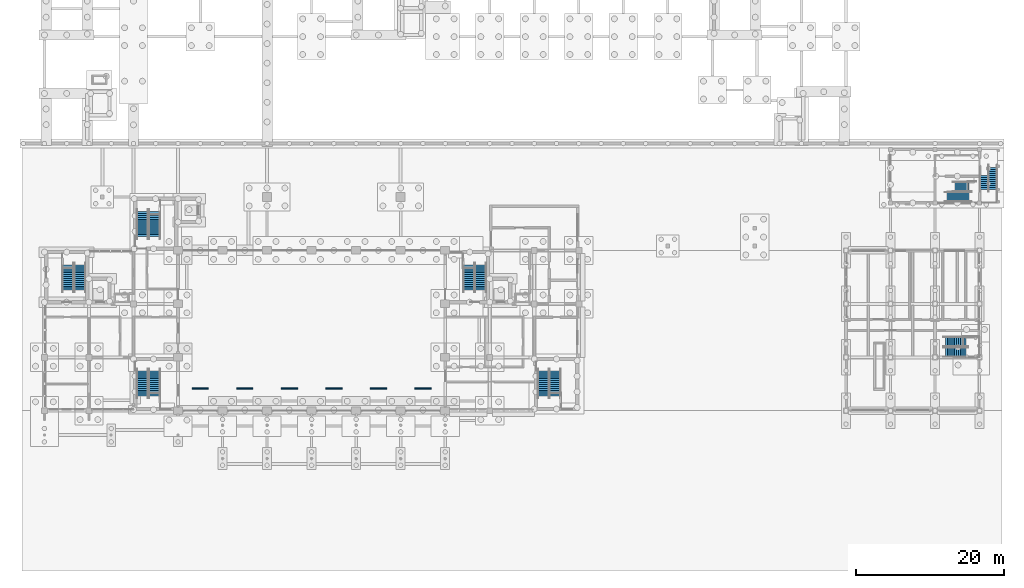
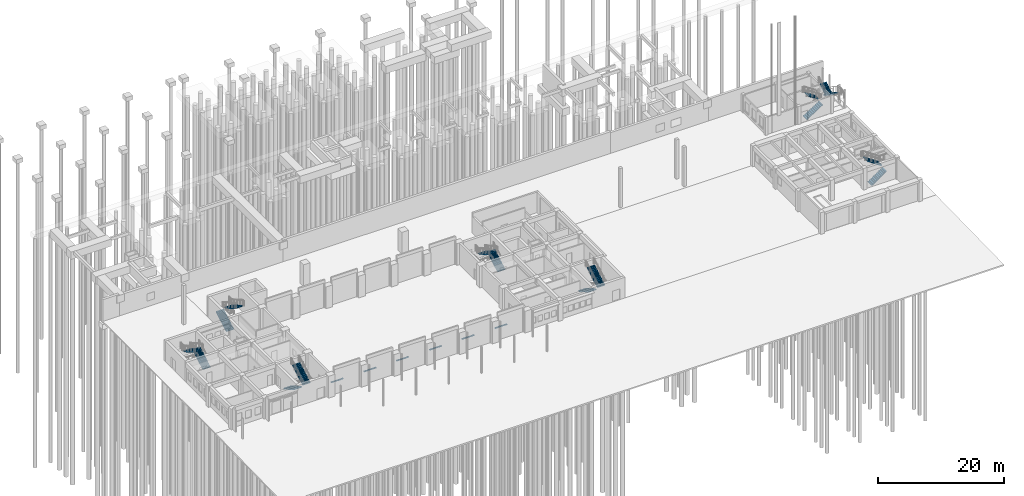
# One storey, part 29 of 37: 16 stair flights, 6 discrete accessories, 8 elements without a shape of their own.
"""IFC4 building model written with IfcOpenShell, lengths in metres."""

from ifc_helpers import new_model, si_unit, direction, frame, origin, origin_2d, place, context, subcontext, project, spatial, polyline, rectangle, outline, extrude, material, type_object, element, aggregate, save


model = new_model("IFC4")

# Units and contexts
model_context = context("Model", 3, precision=1e-05, world=origin(), true_north=direction((0.0, 1.0)))
body_context = subcontext(model_context, "Body", "Model", "MODEL_VIEW")
ifc_project = project(units=[si_unit("LENGTHUNIT", "METRE"), si_unit("AREAUNIT", "SQUARE_METRE"), si_unit("VOLUMEUNIT", "CUBIC_METRE"), si_unit("PLANEANGLEUNIT", "RADIAN"), si_unit("MASSUNIT", "GRAM", prefix="KILO")], contexts=[model_context])

# Site, building, storey
site_placement = place(None, origin())
site = spatial("IfcSite", under=ifc_project, at=site_placement, CompositionType="ELEMENT")
building_placement = place(site_placement, origin())
building = spatial("IfcBuilding", under=site, at=building_placement, Name="Laocheng Heights Fire and Rescue Headquarters", CompositionType="ELEMENT")
storey_placement = place(building_placement, origin())
storey = spatial("IfcBuildingStorey", under=building, at=storey_placement, Name="L00", CompositionType="ELEMENT", Elevation=0.0)

# Stair, stair flights
ifc_material_1 = material(Name="Concrete C40", Category="concrete")
stair_type_1 = type_object("IfcStairType", Name="RC STAIR 1200 TWO FLIGHTS 24 RISERS OF 175 GOING 250", PredefinedType="HALF_TURN_STAIR", material=ifc_material_1)
stair_1_placement = place(storey_placement, origin())
stair_1 = element("IfcStair", 1, at=stair_1_placement, inside=storey, type_object=stair_type_1, Name="Stair W3 (L00 to L01)", PredefinedType="HALF_TURN_STAIR")
ifc_material_2 = material(Name="Concrete C40", Category="concrete")
stair_flight_type_1 = type_object("IfcStairFlightType", Name="RC STAIR FLIGHT 1200 RISERS OF 175 GOING 250", PredefinedType="STRAIGHT", material=ifc_material_2)
stair_flight_1_placement = place(storey_placement, frame((121.39990234375, 7.89990234375, 0.0), z_axis=(0.0, 0.0, 1.0), x_axis=(1.0, 0.0, 0.0)))
stair_flight_1 = element("IfcStairFlight", 2, at=stair_flight_1_placement, type_object=stair_flight_type_1, Name="W3-L00 flight 1", NumberOfRisers=12, NumberOfTreads=11, PredefinedType="STRAIGHT", RiserHeight=0.175, TreadLength=0.25, context=body_context, shape_type="SweptSolid", body=[
    extrude(outline(polyline([(0.0, 0.0), (0.0, 0.175048828125), (0.25, 0.175048828125), (0.25, 0.35009765625), (0.5, 0.35009765625), (0.5, 0.52490234375), (0.75, 0.52490234375), (0.75, 0.699951171875), (1.0, 0.699951171875), (1.0, 0.875), (1.25, 0.875), (1.25, 1.050048828125), (1.5, 1.050048828125), (1.5, 1.22509765625), (1.75, 1.22509765625), (1.75, 1.39990234375), (2.0, 1.39990234375), (2.0, 1.574951171875), (2.25, 1.574951171875), (2.25, 1.75), (2.5, 1.75), (2.5, 1.925048828125), (2.75, 1.925048828125), (2.75, 2.10009765625), (2.75, 1.741943359375), (0.261474609375, 0.0), (0.0, 0.0)])), frame((0.0, 0.60009765625, 0.0), z_axis=(0.0, -1.0, 0.0), x_axis=(1.0, 0.0, 0.0)), (0.0, 0.0, 1.0), 1.199951171875),
])
stair_flight_2_placement = place(storey_placement, frame((124.14990234375, 9.300048828125, 2.10205078125), z_axis=(0.0, 0.0, 1.0), x_axis=(-1.0, 0.0, 0.0)))
stair_flight_2 = element("IfcStairFlight", 3, at=stair_flight_2_placement, type_object=stair_flight_type_1, Name="W3-L00 flight 2", NumberOfRisers=12, NumberOfTreads=11, PredefinedType="STRAIGHT", RiserHeight=0.175, TreadLength=0.25, context=body_context, shape_type="SweptSolid", body=[
    extrude(outline(polyline([(0.0, 0.0), (0.0, 0.175048828125), (0.25, 0.175048828125), (0.25, 0.35009765625), (0.5, 0.35009765625), (0.5, 0.52490234375), (0.75, 0.52490234375), (0.75, 0.699951171875), (1.0, 0.699951171875), (1.0, 0.875), (1.25, 0.875), (1.25, 1.050048828125), (1.5, 1.050048828125), (1.5, 1.22509765625), (1.75, 1.22509765625), (1.75, 1.39990234375), (2.0, 1.39990234375), (2.0, 1.574951171875), (2.25, 1.574951171875), (2.25, 1.75), (2.5, 1.75), (2.5, 1.925048828125), (2.75, 1.925048828125), (2.75, 2.10009765625), (2.75, 1.741943359375), (0.261474609375, 0.0), (0.0, 0.0)])), frame((0.0, 0.60009765625, 0.0), z_axis=(0.0, -1.0, 0.0), x_axis=(1.0, 0.0, 0.0)), (0.0, 0.0, 1.0), 1.199951171875),
])
aggregate(stair_1, [stair_flight_1, stair_flight_2])

ifc_material_3 = material(Name="Concrete C40", Category="concrete")
stair_type_2 = type_object("IfcStairType", Name="RC STAIR 1200 TWO FLIGHTS 20 RISERS OF 175 GOING 270", PredefinedType="HALF_TURN_STAIR", material=ifc_material_3)
stair_2_placement = place(storey_placement, origin())
stair_2 = element("IfcStair", 4, at=stair_2_placement, inside=storey, type_object=stair_type_2, Name="Stair T1 (F1 to F2)", PredefinedType="HALF_TURN_STAIR")
ifc_material_4 = material(Name="Concrete C40", Category="concrete")
stair_flight_type_2 = type_object("IfcStairFlightType", Name="RC STAIR FLIGHT 1200 RISERS OF 175 GOING 270", PredefinedType="STRAIGHT", material=ifc_material_4)
stair_flight_3_placement = place(storey_placement, frame((121.625, 28.800048828125, 0.0), z_axis=(0.0, 0.0, 1.0), x_axis=(1.0, 0.0, 0.0)))
stair_flight_3 = element("IfcStairFlight", 5, at=stair_flight_3_placement, type_object=stair_flight_type_2, Name="T1-F1 flight 1", NumberOfRisers=12, NumberOfTreads=11, PredefinedType="STRAIGHT", RiserHeight=0.175, TreadLength=0.27, context=body_context, shape_type="SweptSolid", body=[
    extrude(outline(polyline([(0.0, 0.0), (0.0, 0.175048828125), (0.27001953125, 0.175048828125), (0.27001953125, 0.35009765625), (0.5400390625, 0.35009765625), (0.5400390625, 0.52490234375), (0.81005859375, 0.52490234375), (0.81005859375, 0.699951171875), (1.080078125, 0.699951171875), (1.080078125, 0.875), (1.35009765625, 0.875), (1.35009765625, 1.050048828125), (1.6201171875, 1.050048828125), (1.6201171875, 1.22509765625), (1.889892578125, 1.22509765625), (1.889892578125, 1.39990234375), (2.159912109375, 1.39990234375), (2.159912109375, 1.574951171875), (2.429931640625, 1.574951171875), (2.429931640625, 1.75), (2.699951171875, 1.75), (2.699951171875, 1.925048828125), (2.969970703125, 1.925048828125), (2.969970703125, 2.10009765625), (2.969970703125, 1.865478515625), (0.092041015625, 0.0), (0.0, 0.0)])), frame((0.0, 0.60009765625, 0.0), z_axis=(0.0, -1.0, 0.0), x_axis=(1.0, 0.0, 0.0)), (0.0, 0.0, 1.0), 1.199951171875),
])
stair_flight_4_placement = place(storey_placement, frame((124.594970703125, 30.199951171875, 2.10205078125), z_axis=(0.0, 0.0, 1.0), x_axis=(-1.0, 0.0, 0.0)))
stair_flight_4 = element("IfcStairFlight", 6, at=stair_flight_4_placement, type_object=stair_flight_type_2, Name="T1-F1 flight 2", NumberOfRisers=8, NumberOfTreads=7, PredefinedType="STRAIGHT", RiserHeight=0.175, TreadLength=0.27, context=body_context, shape_type="SweptSolid", body=[
    extrude(outline(polyline([(0.0, 0.0), (0.0, 0.175048828125), (0.27001953125, 0.175048828125), (0.27001953125, 0.35009765625), (0.5400390625, 0.35009765625), (0.5400390625, 0.52490234375), (0.81005859375, 0.52490234375), (0.81005859375, 0.699951171875), (1.080078125, 0.699951171875), (1.080078125, 0.875), (1.35009765625, 0.875), (1.35009765625, 1.050048828125), (1.6201171875, 1.050048828125), (1.6201171875, 1.22509765625), (1.889892578125, 1.22509765625), (1.889892578125, 1.39990234375), (1.889892578125, 1.165283203125), (0.092041015625, 0.0), (0.0, 0.0)])), frame((0.0, 0.60009765625, 0.0), z_axis=(0.0, -1.0, 0.0), x_axis=(1.0, 0.0, 0.0)), (0.0, 0.0, 1.0), 1.199951171875),
])
aggregate(stair_2, [stair_flight_3, stair_flight_4])

stair_3_placement = place(storey_placement, origin())
stair_3 = element("IfcStair", 7, at=stair_3_placement, inside=storey, type_object=stair_type_2, Name="Stair T2 (F1 to F2)", PredefinedType="HALF_TURN_STAIR")
stair_flight_5_placement = place(storey_placement, frame((127.800048828125, 32.800048828125, 0.0), z_axis=(0.0, 0.0, 1.0), x_axis=(0.0, -1.0, 0.0)))
stair_flight_5 = element("IfcStairFlight", 8, at=stair_flight_5_placement, type_object=stair_flight_type_2, Name="T2-F1 flight 1", NumberOfRisers=12, NumberOfTreads=11, PredefinedType="STRAIGHT", RiserHeight=0.175, TreadLength=0.27, context=body_context, shape_type="SweptSolid", body=[
    extrude(outline(polyline([(0.0, 0.0), (0.0, 0.175048828125), (0.27001953125, 0.175048828125), (0.27001953125, 0.35009765625), (0.5400390625, 0.35009765625), (0.5400390625, 0.52490234375), (0.81005859375, 0.52490234375), (0.81005859375, 0.699951171875), (1.080078125, 0.699951171875), (1.080078125, 0.875), (1.35009765625, 0.875), (1.35009765625, 1.050048828125), (1.6201171875, 1.050048828125), (1.6201171875, 1.22509765625), (1.889892578125, 1.22509765625), (1.889892578125, 1.39990234375), (2.159912109375, 1.39990234375), (2.159912109375, 1.574951171875), (2.429931640625, 1.574951171875), (2.429931640625, 1.75), (2.699951171875, 1.75), (2.699951171875, 1.925048828125), (2.969970703125, 1.925048828125), (2.969970703125, 2.10009765625), (2.969970703125, 1.865478515625), (0.092041015625, 0.0), (0.0, 0.0)])), frame((0.0, 0.60009765625, 0.0), z_axis=(0.0, -1.0, 0.0), x_axis=(1.0, 0.0, 0.0)), (0.0, 0.0, 1.0), 1.199951171875),
])
stair_flight_6_placement = place(storey_placement, frame((126.60009765625, 29.830078125, 2.10205078125), z_axis=(0.0, 0.0, 1.0), x_axis=(0.0, 1.0, 0.0)))
stair_flight_6 = element("IfcStairFlight", 9, at=stair_flight_6_placement, type_object=stair_flight_type_2, Name="T2-F1 flight 2", NumberOfRisers=8, NumberOfTreads=7, PredefinedType="STRAIGHT", RiserHeight=0.175, TreadLength=0.27, context=body_context, shape_type="SweptSolid", body=[
    extrude(outline(polyline([(0.0, 0.0), (0.0, 0.175048828125), (0.27001953125, 0.175048828125), (0.27001953125, 0.35009765625), (0.5400390625, 0.35009765625), (0.5400390625, 0.52490234375), (0.81005859375, 0.52490234375), (0.81005859375, 0.699951171875), (1.080078125, 0.699951171875), (1.080078125, 0.875), (1.35009765625, 0.875), (1.35009765625, 1.050048828125), (1.6201171875, 1.050048828125), (1.6201171875, 1.22509765625), (1.889892578125, 1.22509765625), (1.889892578125, 1.39990234375), (1.889892578125, 1.165283203125), (0.092041015625, 0.0), (0.0, 0.0)])), frame((0.0, 0.60009765625, 0.0), z_axis=(0.0, -1.0, 0.0), x_axis=(1.0, 0.0, 0.0)), (0.0, 0.0, 1.0), 1.199951171875),
])
aggregate(stair_3, [stair_flight_5, stair_flight_6])

ifc_material_5 = material(Name="Concrete C40", Category="concrete")
stair_type_3 = type_object("IfcStairType", Name="RC STAIR 1400 TWO FLIGHTS 28 RISERS OF 150 GOING 260", PredefinedType="HALF_TURN_STAIR", material=ifc_material_5)
stair_4_placement = place(storey_placement, origin())
stair_4 = element("IfcStair", 10, at=stair_4_placement, inside=storey, type_object=stair_type_3, Name="Stair W1 (L00 to L01)", PredefinedType="HALF_TURN_STAIR")
ifc_material_6 = material(Name="Concrete C40", Category="concrete")
stair_flight_type_3 = type_object("IfcStairFlightType", Name="RC STAIR FLIGHT 1400 RISERS OF 150 GOING 260", PredefinedType="STRAIGHT", material=ifc_material_6)
stair_flight_7_placement = place(storey_placement, frame((4.77490234375, 16.25, 0.0), z_axis=(0.0, 0.0, 1.0), x_axis=(0.0, 1.0, 0.0)))
stair_flight_7 = element("IfcStairFlight", 11, at=stair_flight_7_placement, type_object=stair_flight_type_3, Name="W1-L00 flight 1", NumberOfRisers=14, NumberOfTreads=13, PredefinedType="STRAIGHT", RiserHeight=0.15, TreadLength=0.26, context=body_context, shape_type="SweptSolid", body=[
    extrude(outline(polyline([(0.0, 0.0), (0.0, 0.14990234375), (0.260009765625, 0.14990234375), (0.260009765625, 0.300048828125), (0.52001953125, 0.300048828125), (0.52001953125, 0.449951171875), (0.780029296875, 0.449951171875), (0.780029296875, 0.60009765625), (1.0400390625, 0.60009765625), (1.0400390625, 0.75), (1.300048828125, 0.75), (1.300048828125, 0.89990234375), (1.56005859375, 0.89990234375), (1.56005859375, 1.050048828125), (1.820068359375, 1.050048828125), (1.820068359375, 1.199951171875), (2.080078125, 1.199951171875), (2.080078125, 1.35009765625), (2.340087890625, 1.35009765625), (2.340087890625, 1.5), (2.60009765625, 1.5), (2.60009765625, 1.64990234375), (2.860107421875, 1.64990234375), (2.860107421875, 1.800048828125), (3.1201171875, 1.800048828125), (3.1201171875, 1.949951171875), (3.3798828125, 1.949951171875), (3.3798828125, 2.10009765625), (3.3798828125, 1.77685546875), (0.300048828125, 0.0), (0.0, 0.0)])), frame((0.0, 0.699951171875, 0.0), z_axis=(0.0, -1.0, 0.0), x_axis=(1.0, 0.0, 0.0)), (0.0, 0.0, 1.0), 1.39990234375),
])
stair_flight_8_placement = place(storey_placement, frame((3.175048828125, 19.6298828125, 2.10205078125), z_axis=(0.0, 0.0, 1.0), x_axis=(0.0, -1.0, 0.0)))
stair_flight_8 = element("IfcStairFlight", 12, at=stair_flight_8_placement, type_object=stair_flight_type_3, Name="W1-L00 flight 2", NumberOfRisers=14, NumberOfTreads=13, PredefinedType="STRAIGHT", RiserHeight=0.15, TreadLength=0.26, context=body_context, shape_type="SweptSolid", body=[
    extrude(outline(polyline([(0.0, 0.0), (0.0, 0.14990234375), (0.260009765625, 0.14990234375), (0.260009765625, 0.300048828125), (0.52001953125, 0.300048828125), (0.52001953125, 0.449951171875), (0.780029296875, 0.449951171875), (0.780029296875, 0.60009765625), (1.0400390625, 0.60009765625), (1.0400390625, 0.75), (1.300048828125, 0.75), (1.300048828125, 0.89990234375), (1.56005859375, 0.89990234375), (1.56005859375, 1.050048828125), (1.820068359375, 1.050048828125), (1.820068359375, 1.199951171875), (2.080078125, 1.199951171875), (2.080078125, 1.35009765625), (2.340087890625, 1.35009765625), (2.340087890625, 1.5), (2.60009765625, 1.5), (2.60009765625, 1.64990234375), (2.860107421875, 1.64990234375), (2.860107421875, 1.800048828125), (3.1201171875, 1.800048828125), (3.1201171875, 1.949951171875), (3.3798828125, 1.949951171875), (3.3798828125, 2.10009765625), (3.3798828125, 1.77685546875), (0.300048828125, 0.0), (0.0, 0.0)])), frame((0.0, 0.699951171875, 0.0), z_axis=(0.0, -1.0, 0.0), x_axis=(1.0, 0.0, 0.0)), (0.0, 0.0, 1.0), 1.39990234375),
])
aggregate(stair_4, [stair_flight_7, stair_flight_8])

stair_5_placement = place(storey_placement, origin())
stair_5 = element("IfcStair", 13, at=stair_5_placement, inside=storey, type_object=stair_type_3, Name="Stair W2 (L00 to L01)", PredefinedType="HALF_TURN_STAIR")
stair_flight_9_placement = place(storey_placement, frame((13.22509765625, 5.35009765625, 0.0), z_axis=(0.0, 0.0, 1.0), x_axis=(0.0, -1.0, 0.0)))
stair_flight_9 = element("IfcStairFlight", 14, at=stair_flight_9_placement, type_object=stair_flight_type_3, Name="W2-L00 flight 1", NumberOfRisers=14, NumberOfTreads=13, PredefinedType="STRAIGHT", RiserHeight=0.15, TreadLength=0.26, context=body_context, shape_type="SweptSolid", body=[
    extrude(outline(polyline([(0.0, 0.0), (0.0, 0.14990234375), (0.260009765625, 0.14990234375), (0.260009765625, 0.300048828125), (0.52001953125, 0.300048828125), (0.52001953125, 0.449951171875), (0.780029296875, 0.449951171875), (0.780029296875, 0.60009765625), (1.0400390625, 0.60009765625), (1.0400390625, 0.75), (1.300048828125, 0.75), (1.300048828125, 0.89990234375), (1.56005859375, 0.89990234375), (1.56005859375, 1.050048828125), (1.820068359375, 1.050048828125), (1.820068359375, 1.199951171875), (2.080078125, 1.199951171875), (2.080078125, 1.35009765625), (2.340087890625, 1.35009765625), (2.340087890625, 1.5), (2.60009765625, 1.5), (2.60009765625, 1.64990234375), (2.860107421875, 1.64990234375), (2.860107421875, 1.800048828125), (3.1201171875, 1.800048828125), (3.1201171875, 1.949951171875), (3.3798828125, 1.949951171875), (3.3798828125, 2.10009765625), (3.3798828125, 1.77685546875), (0.300048828125, 0.0), (0.0, 0.0)])), frame((0.0, 0.699951171875, 0.0), z_axis=(0.0, -1.0, 0.0), x_axis=(1.0, 0.0, 0.0)), (0.0, 0.0, 1.0), 1.39990234375),
])
stair_flight_10_placement = place(storey_placement, frame((14.824951171875, 1.969970703125, 2.10205078125), z_axis=(0.0, 0.0, 1.0), x_axis=(0.0, 1.0, 0.0)))
stair_flight_10 = element("IfcStairFlight", 15, at=stair_flight_10_placement, type_object=stair_flight_type_3, Name="W2-L00 flight 2", NumberOfRisers=14, NumberOfTreads=13, PredefinedType="STRAIGHT", RiserHeight=0.15, TreadLength=0.26, context=body_context, shape_type="SweptSolid", body=[
    extrude(outline(polyline([(0.0, 0.0), (0.0, 0.14990234375), (0.260009765625, 0.14990234375), (0.260009765625, 0.300048828125), (0.52001953125, 0.300048828125), (0.52001953125, 0.449951171875), (0.780029296875, 0.449951171875), (0.780029296875, 0.60009765625), (1.0400390625, 0.60009765625), (1.0400390625, 0.75), (1.300048828125, 0.75), (1.300048828125, 0.89990234375), (1.56005859375, 0.89990234375), (1.56005859375, 1.050048828125), (1.820068359375, 1.050048828125), (1.820068359375, 1.199951171875), (2.080078125, 1.199951171875), (2.080078125, 1.35009765625), (2.340087890625, 1.35009765625), (2.340087890625, 1.5), (2.60009765625, 1.5), (2.60009765625, 1.64990234375), (2.860107421875, 1.64990234375), (2.860107421875, 1.800048828125), (3.1201171875, 1.800048828125), (3.1201171875, 1.949951171875), (3.3798828125, 1.949951171875), (3.3798828125, 2.10009765625), (3.3798828125, 1.77685546875), (0.300048828125, 0.0), (0.0, 0.0)])), frame((0.0, 0.699951171875, 0.0), z_axis=(0.0, -1.0, 0.0), x_axis=(1.0, 0.0, 0.0)), (0.0, 0.0, 1.0), 1.39990234375),
])
aggregate(stair_5, [stair_flight_9, stair_flight_10])

stair_6_placement = place(storey_placement, origin())
stair_6 = element("IfcStair", 16, at=stair_6_placement, inside=storey, type_object=stair_type_3, Name="Stair E1 (L00 to L01)", PredefinedType="HALF_TURN_STAIR")
stair_flight_11_placement = place(storey_placement, frame((58.77490234375, 16.25, 0.0), z_axis=(0.0, 0.0, 1.0), x_axis=(0.0, 1.0, 0.0)))
stair_flight_11 = element("IfcStairFlight", 17, at=stair_flight_11_placement, type_object=stair_flight_type_3, Name="E1-L00 flight 1", NumberOfRisers=14, NumberOfTreads=13, PredefinedType="STRAIGHT", RiserHeight=0.15, TreadLength=0.26, context=body_context, shape_type="SweptSolid", body=[
    extrude(outline(polyline([(0.0, 0.0), (0.0, 0.14990234375), (0.260009765625, 0.14990234375), (0.260009765625, 0.300048828125), (0.52001953125, 0.300048828125), (0.52001953125, 0.449951171875), (0.780029296875, 0.449951171875), (0.780029296875, 0.60009765625), (1.0400390625, 0.60009765625), (1.0400390625, 0.75), (1.300048828125, 0.75), (1.300048828125, 0.89990234375), (1.56005859375, 0.89990234375), (1.56005859375, 1.050048828125), (1.820068359375, 1.050048828125), (1.820068359375, 1.199951171875), (2.080078125, 1.199951171875), (2.080078125, 1.35009765625), (2.340087890625, 1.35009765625), (2.340087890625, 1.5), (2.60009765625, 1.5), (2.60009765625, 1.64990234375), (2.860107421875, 1.64990234375), (2.860107421875, 1.800048828125), (3.1201171875, 1.800048828125), (3.1201171875, 1.949951171875), (3.3798828125, 1.949951171875), (3.3798828125, 2.10009765625), (3.3798828125, 1.77685546875), (0.300048828125, 0.0), (0.0, 0.0)])), frame((0.0, 0.699951171875, 0.0), z_axis=(0.0, -1.0, 0.0), x_axis=(1.0, 0.0, 0.0)), (0.0, 0.0, 1.0), 1.39990234375),
])
stair_flight_12_placement = place(storey_placement, frame((57.175048828125, 19.6298828125, 2.10205078125), z_axis=(0.0, 0.0, 1.0), x_axis=(0.0, -1.0, 0.0)))
stair_flight_12 = element("IfcStairFlight", 18, at=stair_flight_12_placement, type_object=stair_flight_type_3, Name="E1-L00 flight 2", NumberOfRisers=14, NumberOfTreads=13, PredefinedType="STRAIGHT", RiserHeight=0.15, TreadLength=0.26, context=body_context, shape_type="SweptSolid", body=[
    extrude(outline(polyline([(0.0, 0.0), (0.0, 0.14990234375), (0.260009765625, 0.14990234375), (0.260009765625, 0.300048828125), (0.52001953125, 0.300048828125), (0.52001953125, 0.449951171875), (0.780029296875, 0.449951171875), (0.780029296875, 0.60009765625), (1.0400390625, 0.60009765625), (1.0400390625, 0.75), (1.300048828125, 0.75), (1.300048828125, 0.89990234375), (1.56005859375, 0.89990234375), (1.56005859375, 1.050048828125), (1.820068359375, 1.050048828125), (1.820068359375, 1.199951171875), (2.080078125, 1.199951171875), (2.080078125, 1.35009765625), (2.340087890625, 1.35009765625), (2.340087890625, 1.5), (2.60009765625, 1.5), (2.60009765625, 1.64990234375), (2.860107421875, 1.64990234375), (2.860107421875, 1.800048828125), (3.1201171875, 1.800048828125), (3.1201171875, 1.949951171875), (3.3798828125, 1.949951171875), (3.3798828125, 2.10009765625), (3.3798828125, 1.77685546875), (0.300048828125, 0.0), (0.0, 0.0)])), frame((0.0, 0.699951171875, 0.0), z_axis=(0.0, -1.0, 0.0), x_axis=(1.0, 0.0, 0.0)), (0.0, 0.0, 1.0), 1.39990234375),
])
aggregate(stair_6, [stair_flight_11, stair_flight_12])

stair_7_placement = place(storey_placement, origin())
stair_7 = element("IfcStair", 19, at=stair_7_placement, inside=storey, type_object=stair_type_3, Name="Stair E2 (L00 to L01)", PredefinedType="HALF_TURN_STAIR")
stair_flight_13_placement = place(storey_placement, frame((67.22509765625, 5.35009765625, 0.0), z_axis=(0.0, 0.0, 1.0), x_axis=(0.0, -1.0, 0.0)))
stair_flight_13 = element("IfcStairFlight", 20, at=stair_flight_13_placement, type_object=stair_flight_type_3, Name="E2-L00 flight 1", NumberOfRisers=14, NumberOfTreads=13, PredefinedType="STRAIGHT", RiserHeight=0.15, TreadLength=0.26, context=body_context, shape_type="SweptSolid", body=[
    extrude(outline(polyline([(0.0, 0.0), (0.0, 0.14990234375), (0.260009765625, 0.14990234375), (0.260009765625, 0.300048828125), (0.52001953125, 0.300048828125), (0.52001953125, 0.449951171875), (0.780029296875, 0.449951171875), (0.780029296875, 0.60009765625), (1.0400390625, 0.60009765625), (1.0400390625, 0.75), (1.300048828125, 0.75), (1.300048828125, 0.89990234375), (1.56005859375, 0.89990234375), (1.56005859375, 1.050048828125), (1.820068359375, 1.050048828125), (1.820068359375, 1.199951171875), (2.080078125, 1.199951171875), (2.080078125, 1.35009765625), (2.340087890625, 1.35009765625), (2.340087890625, 1.5), (2.60009765625, 1.5), (2.60009765625, 1.64990234375), (2.860107421875, 1.64990234375), (2.860107421875, 1.800048828125), (3.1201171875, 1.800048828125), (3.1201171875, 1.949951171875), (3.3798828125, 1.949951171875), (3.3798828125, 2.10009765625), (3.3798828125, 1.77685546875), (0.300048828125, 0.0), (0.0, 0.0)])), frame((0.0, 0.699951171875, 0.0), z_axis=(0.0, -1.0, 0.0), x_axis=(1.0, 0.0, 0.0)), (0.0, 0.0, 1.0), 1.39990234375),
])
stair_flight_14_placement = place(storey_placement, frame((68.824951171875, 1.969970703125, 2.10205078125), z_axis=(0.0, 0.0, 1.0), x_axis=(0.0, 1.0, 0.0)))
stair_flight_14 = element("IfcStairFlight", 21, at=stair_flight_14_placement, type_object=stair_flight_type_3, Name="E2-L00 flight 2", NumberOfRisers=14, NumberOfTreads=13, PredefinedType="STRAIGHT", RiserHeight=0.15, TreadLength=0.26, context=body_context, shape_type="SweptSolid", body=[
    extrude(outline(polyline([(0.0, 0.0), (0.0, 0.14990234375), (0.260009765625, 0.14990234375), (0.260009765625, 0.300048828125), (0.52001953125, 0.300048828125), (0.52001953125, 0.449951171875), (0.780029296875, 0.449951171875), (0.780029296875, 0.60009765625), (1.0400390625, 0.60009765625), (1.0400390625, 0.75), (1.300048828125, 0.75), (1.300048828125, 0.89990234375), (1.56005859375, 0.89990234375), (1.56005859375, 1.050048828125), (1.820068359375, 1.050048828125), (1.820068359375, 1.199951171875), (2.080078125, 1.199951171875), (2.080078125, 1.35009765625), (2.340087890625, 1.35009765625), (2.340087890625, 1.5), (2.60009765625, 1.5), (2.60009765625, 1.64990234375), (2.860107421875, 1.64990234375), (2.860107421875, 1.800048828125), (3.1201171875, 1.800048828125), (3.1201171875, 1.949951171875), (3.3798828125, 1.949951171875), (3.3798828125, 2.10009765625), (3.3798828125, 1.77685546875), (0.300048828125, 0.0), (0.0, 0.0)])), frame((0.0, 0.699951171875, 0.0), z_axis=(0.0, -1.0, 0.0), x_axis=(1.0, 0.0, 0.0)), (0.0, 0.0, 1.0), 1.39990234375),
])
aggregate(stair_7, [stair_flight_13, stair_flight_14])

stair_8_placement = place(storey_placement, origin())
stair_8 = element("IfcStair", 22, at=stair_8_placement, inside=storey, type_object=stair_type_3, Name="Stair G1 (L00 to L01)", PredefinedType="HALF_TURN_STAIR")
stair_flight_15_placement = place(storey_placement, frame((13.22509765625, 23.449951171875, 0.0), z_axis=(0.0, 0.0, 1.0), x_axis=(0.0, 1.0, 0.0)))
stair_flight_15 = element("IfcStairFlight", 23, at=stair_flight_15_placement, type_object=stair_flight_type_3, Name="G1-L00 flight 1", NumberOfRisers=14, NumberOfTreads=13, PredefinedType="STRAIGHT", RiserHeight=0.15, TreadLength=0.26, context=body_context, shape_type="SweptSolid", body=[
    extrude(outline(polyline([(0.0, 0.0), (0.0, 0.14990234375), (0.260009765625, 0.14990234375), (0.260009765625, 0.300048828125), (0.52001953125, 0.300048828125), (0.52001953125, 0.449951171875), (0.780029296875, 0.449951171875), (0.780029296875, 0.60009765625), (1.0400390625, 0.60009765625), (1.0400390625, 0.75), (1.300048828125, 0.75), (1.300048828125, 0.89990234375), (1.56005859375, 0.89990234375), (1.56005859375, 1.050048828125), (1.820068359375, 1.050048828125), (1.820068359375, 1.199951171875), (2.080078125, 1.199951171875), (2.080078125, 1.35009765625), (2.340087890625, 1.35009765625), (2.340087890625, 1.5), (2.60009765625, 1.5), (2.60009765625, 1.64990234375), (2.860107421875, 1.64990234375), (2.860107421875, 1.800048828125), (3.1201171875, 1.800048828125), (3.1201171875, 1.949951171875), (3.3798828125, 1.949951171875), (3.3798828125, 2.10009765625), (3.3798828125, 1.77685546875), (0.300048828125, 0.0), (0.0, 0.0)])), frame((0.0, 0.699951171875, 0.0), z_axis=(0.0, -1.0, 0.0), x_axis=(1.0, 0.0, 0.0)), (0.0, 0.0, 1.0), 1.39990234375),
])
stair_flight_16_placement = place(storey_placement, frame((14.824951171875, 26.830078125, 2.10205078125), z_axis=(0.0, 0.0, 1.0), x_axis=(0.0, -1.0, 0.0)))
stair_flight_16 = element("IfcStairFlight", 24, at=stair_flight_16_placement, type_object=stair_flight_type_3, Name="G1-L00 flight 2", NumberOfRisers=14, NumberOfTreads=13, PredefinedType="STRAIGHT", RiserHeight=0.15, TreadLength=0.26, context=body_context, shape_type="SweptSolid", body=[
    extrude(outline(polyline([(0.0, 0.0), (0.0, 0.14990234375), (0.260009765625, 0.14990234375), (0.260009765625, 0.300048828125), (0.52001953125, 0.300048828125), (0.52001953125, 0.449951171875), (0.780029296875, 0.449951171875), (0.780029296875, 0.60009765625), (1.0400390625, 0.60009765625), (1.0400390625, 0.75), (1.300048828125, 0.75), (1.300048828125, 0.89990234375), (1.56005859375, 0.89990234375), (1.56005859375, 1.050048828125), (1.820068359375, 1.050048828125), (1.820068359375, 1.199951171875), (2.080078125, 1.199951171875), (2.080078125, 1.35009765625), (2.340087890625, 1.35009765625), (2.340087890625, 1.5), (2.60009765625, 1.5), (2.60009765625, 1.64990234375), (2.860107421875, 1.64990234375), (2.860107421875, 1.800048828125), (3.1201171875, 1.800048828125), (3.1201171875, 1.949951171875), (3.3798828125, 1.949951171875), (3.3798828125, 2.10009765625), (3.3798828125, 1.77685546875), (0.300048828125, 0.0), (0.0, 0.0)])), frame((0.0, 0.699951171875, 0.0), z_axis=(0.0, -1.0, 0.0), x_axis=(1.0, 0.0, 0.0)), (0.0, 0.0, 1.0), 1.39990234375),
])
aggregate(stair_8, [stair_flight_15, stair_flight_16])

# Discrete accessories
ifc_material_7 = material(Name="Precast concrete C40/50", Category="concrete")
discrete_accessory_type = type_object("IfcDiscreteAccessoryType", Name="REVERSING STOP PRECAST 2200 x 150 x 120", PredefinedType="USERDEFINED", material=ifc_material_7)
for number, where, z_axis, x_axis, name in (
    (25, (21.0, 3.0, 0.0), (0.0, 0.0, 1.0), (1.0, 0.0, 0.0), "Reversing stop engine bay 1"),
    (26, (27.0, 3.0, 0.0), (0.0, 0.0, 1.0), (1.0, 0.0, 0.0), "Reversing stop engine bay 2"),
    (27, (33.0, 3.0, 0.0), (0.0, 0.0, 1.0), (1.0, 0.0, 0.0), "Reversing stop engine bay 3"),
    (28, (39.0, 3.0, 0.0), (0.0, 0.0, 1.0), (1.0, 0.0, 0.0), "Reversing stop engine bay 4"),
    (29, (45.0, 3.0, 0.0), (0.0, 0.0, 1.0), (1.0, 0.0, 0.0), "Reversing stop engine bay 5"),
    (30, (51.0, 3.0, 0.0), (0.0, 0.0, 1.0), (1.0, 0.0, 0.0), "Reversing stop engine bay 6"),
):
    element("IfcDiscreteAccessory", number, at=place(storey_placement, frame(where, z_axis=z_axis, x_axis=x_axis)), inside=storey, type_object=discrete_accessory_type, Name=name, ObjectType="REVERSING STOP", PredefinedType="USERDEFINED", context=body_context, shape_type="SweptSolid", body=[
        extrude(rectangle(XDim=2.199951171875, YDim=0.14990234375, at=origin_2d()), origin(), (0.0, 0.0, 1.0), 0.1201171875),
    ])

save(model, "model.ifc")
